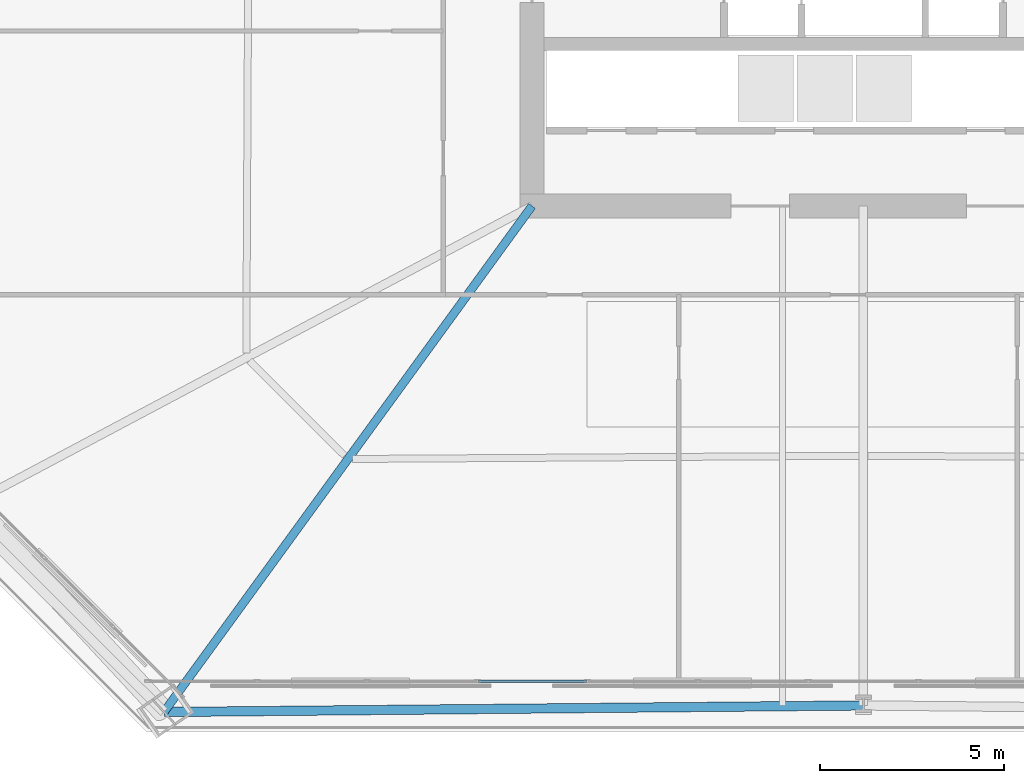
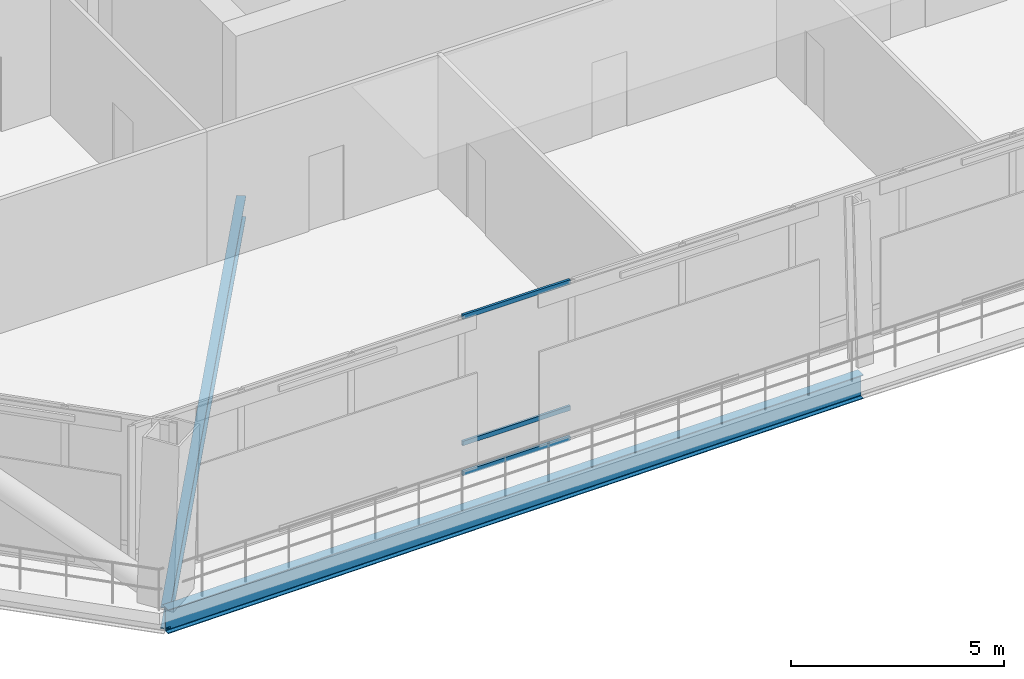
# One storey, part 4 of 48: 3 members, 2 beams, 1 element without a shape of its own.
"""IFC4 building model written with IfcOpenShell, lengths in metres."""

from ifc_helpers import new_model, si_unit, direction, frame, origin, origin_2d, place, context, subcontext, project, spatial, hollow_rectangle, i_section, extrude, material, layer, layer_set, material_profile, profile_set, type_object, element, aggregate, save


model = new_model("IFC4")

# Units and contexts
model_context = context("Model", 3, precision=1e-05, world=origin(), true_north=direction((0.0, 1.0)))
body_context = subcontext(model_context, "Body", "Model", "MODEL_VIEW")
ifc_project = project(units=[si_unit("LENGTHUNIT", "METRE"), si_unit("AREAUNIT", "SQUARE_METRE"), si_unit("VOLUMEUNIT", "CUBIC_METRE"), si_unit("PLANEANGLEUNIT", "RADIAN"), si_unit("MASSUNIT", "GRAM", prefix="KILO")], contexts=[model_context])

# Site, building, storey
site_placement = place(None, origin())
site = spatial("IfcSite", under=ifc_project, at=site_placement, CompositionType="ELEMENT")
building_placement = place(site_placement, origin())
building = spatial("IfcBuilding", under=site, at=building_placement, Name="Caelvoria Tower", CompositionType="ELEMENT")
storey_placement = place(building_placement, frame((0.0, 0.0, 90.39990234375)))
storey = spatial("IfcBuildingStorey", under=building, at=storey_placement, Name="L23", CompositionType="ELEMENT", Elevation=90.39990234375)

# Curtain wall, members
ifc_material_1 = material(Name="Anodised Bronze Aluminium and Low-E Glass", Category="aluminium")
ifc_layer = layer(ifc_material_1, 0.2099609375, Name="Anodised Bronze Aluminium and Low-E Glass")
ifc_layer_set = layer_set([ifc_layer], Name="CW System 3 Sky Lobby Double-Height Acoustic Facade - Anodised Bronze Aluminium and Low-E Glass")
curtain_wall_type = type_object("IfcCurtainWallType", Name="CW System 3 Sky Lobby Double-Height Acoustic Facade", PredefinedType="NOTDEFINED", material=ifc_layer_set)
curtain_wall_placement = place(storey_placement, origin())
curtain_wall = element("IfcCurtainWall", 1, at=curtain_wall_placement, inside=storey, type_object=curtain_wall_type, Name="CW-03 Curtain Wall L23-E0", PredefinedType="NOTDEFINED")
ifc_material_2 = material(Name="Anodised Bronze Architectural Aluminium", Category="aluminium")
ifc_material_profile_1 = material_profile(ifc_material_2, hollow_rectangle(XDim=0.06494140625, YDim=0.1298828125, WallThickness=0.00341796875, at=origin_2d()), Name="Anodised Bronze Architectural Aluminium")
ifc_profile_set_1 = profile_set([ifc_material_profile_1], Name="CW_TRAN_65X130 - Anodised Bronze Architectural Aluminium")
member_type = type_object("IfcMemberType", Name="Curtain Wall Transom 65x130 Bronze Aluminium", PredefinedType="USERDEFINED", material=ifc_profile_set_1)
member_1_placement = place(storey_placement, frame((35.552978515625, 11.0966796875, 0.03271484375), z_axis=(1.0, 0.0, 0.0), x_axis=(0.0, 1.0, 0.0)))
member_1 = element("IfcMember", 2, at=member_1_placement, type_object=member_type, Name="CW-03 transom 4.1", ObjectType="TRANSOM", PredefinedType="USERDEFINED", context=body_context, shape_type="SweptSolid", body=[
    extrude(hollow_rectangle(XDim=0.06494140625, YDim=0.1298828125, WallThickness=0.00341796875, at=origin_2d()), origin(), (0.0, 0.0, 1.0), 2.9248046875),
])
member_2_placement = place(storey_placement, frame((35.552978515625, 11.0966796875, 0.900146484375), z_axis=(1.0, 0.0, 0.0), x_axis=(0.0, 1.0, 0.0)))
member_2 = element("IfcMember", 3, at=member_2_placement, type_object=member_type, Name="CW-03 transom 4.2", ObjectType="TRANSOM", PredefinedType="USERDEFINED", context=body_context, shape_type="SweptSolid", body=[
    extrude(hollow_rectangle(XDim=0.06494140625, YDim=0.1298828125, WallThickness=0.00341796875, at=origin_2d()), origin(), (0.0, 0.0, 1.0), 2.9248046875),
])
member_3_placement = place(storey_placement, frame((35.552978515625, 11.0966796875, 4.527587890625), z_axis=(1.0, 0.0, 0.0), x_axis=(0.0, 1.0, 0.0)))
member_3 = element("IfcMember", 4, at=member_3_placement, type_object=member_type, Name="CW-03 transom 4.3", ObjectType="TRANSOM", PredefinedType="USERDEFINED", context=body_context, shape_type="SweptSolid", body=[
    extrude(hollow_rectangle(XDim=0.06494140625, YDim=0.1298828125, WallThickness=0.00341796875, at=origin_2d()), origin(), (0.0, 0.0, 1.0), 2.9248046875),
])
aggregate(curtain_wall, [member_1, member_2, member_3])

# Beams
ifc_material_3 = material(Name="Structural Steel ASTM A992 Gr.50", Category="steel")
ifc_material_profile_2 = material_profile(ifc_material_3, i_section(OverallWidth=0.25390625, OverallDepth=0.68798828125, WebThickness=0.01318359375, FlangeThickness=0.02099609375, FilletRadius=0.01904296875, at=origin_2d()), Name="Structural Steel ASTM A992 Gr.50")
ifc_profile_set_2 = profile_set([ifc_material_profile_2], Name="W690X152 - Structural Steel ASTM A992 Gr.50")
beam_type_1 = type_object("IfcBeamType", Name="Perimeter Spandrel Girder W690X152", PredefinedType="BEAM", material=ifc_profile_set_2)
beam_1_placement = place(storey_placement, frame((27.007080078125, 10.2587890625, -0.663818359375), z_axis=(0.999956097112, 0.00937037078, 0.0), x_axis=(-0.00937037078, 0.999956097112, 0.0)))
element("IfcBeam", 5, at=beam_1_placement, inside=storey, type_object=beam_type_1, Name="Perimeter Spandrel Girder L23-00", PredefinedType="BEAM", context=body_context, shape_type="SweptSolid", body=[
    extrude(i_section(OverallWidth=0.25390625, OverallDepth=0.68798828125, WebThickness=0.01318359375, FlangeThickness=0.02099609375, FilletRadius=0.01904296875, at=origin_2d()), origin(), (0.0, 0.0, 1.0), 18.99365234375),
])
ifc_material_profile_3 = material_profile(ifc_material_3, i_section(OverallWidth=0.22900390625, OverallDepth=0.612060546875, WebThickness=0.011962890625, FlangeThickness=0.01953125, FilletRadius=0.01806640625, at=origin_2d()), Name="Structural Steel ASTM A992 Gr.50")
ifc_profile_set_3 = profile_set([ifc_material_profile_3], Name="W610X125 - Structural Steel ASTM A992 Gr.50")
beam_type_2 = type_object("IfcBeamType", Name="Primary Radial Floor Girder W610X125", PredefinedType="BEAM", material=ifc_profile_set_3)
beam_2_placement = place(storey_placement, frame((37.0, 24.0, -0.6259765625), z_axis=(-0.588145211452, -0.808755346348, 0.0), x_axis=(0.808755346348, -0.588145211452, 0.0)))
element("IfcBeam", 6, at=beam_2_placement, inside=storey, type_object=beam_type_2, Name="Primary Floor Girder L23-00", PredefinedType="BEAM", context=body_context, shape_type="SweptSolid", body=[
    extrude(i_section(OverallWidth=0.22900390625, OverallDepth=0.612060546875, WebThickness=0.011962890625, FlangeThickness=0.01953125, FilletRadius=0.01806640625, at=origin_2d()), origin(), (0.0, 0.0, 1.0), 16.990478515625),
])

save(model, "model.ifc")
